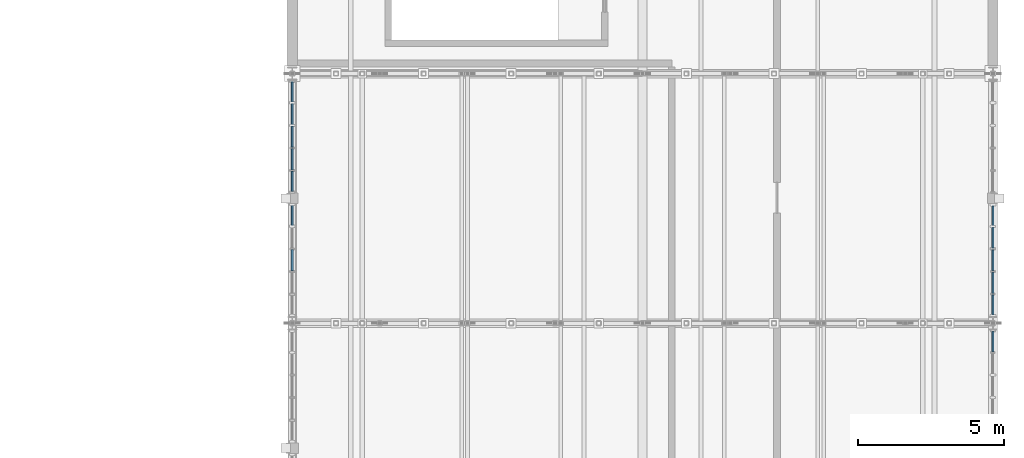
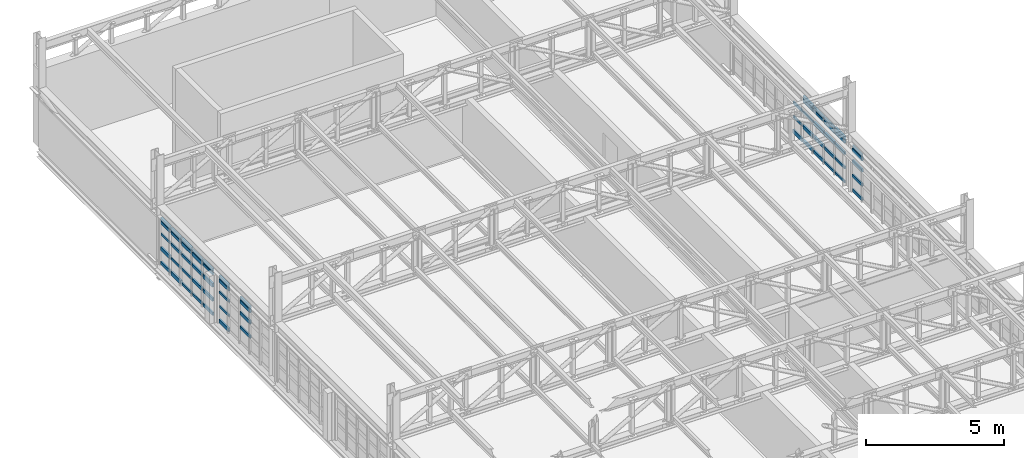
# One storey, part 82 of 128: 62 members, 4 elements without a shape of their own.
"""IFC4 building model written with IfcOpenShell, lengths in metres."""

from ifc_helpers import new_model, si_unit, direction, frame, origin, origin_2d, place, context, subcontext, project, spatial, rectangle, extrude, material, material_profile, profile_set, type_object, element, aggregate, save


model = new_model("IFC4")

# Units and contexts
model_context = context("Model", 3, precision=1e-05, world=origin(), true_north=direction((0.0, 1.0)))
body_context = subcontext(model_context, "Body", "Model", "MODEL_VIEW")
ifc_project = project(units=[si_unit("LENGTHUNIT", "METRE"), si_unit("AREAUNIT", "SQUARE_METRE"), si_unit("VOLUMEUNIT", "CUBIC_METRE"), si_unit("PLANEANGLEUNIT", "RADIAN"), si_unit("MASSUNIT", "GRAM", prefix="KILO")], contexts=[model_context])

# Site, building, storey
site_placement = place(None, origin())
site = spatial("IfcSite", under=ifc_project, at=site_placement, CompositionType="ELEMENT")
building_placement = place(site_placement, origin())
building = spatial("IfcBuilding", under=site, at=building_placement, Name="Serraforn Aerial Cableway Station", CompositionType="ELEMENT")
storey_placement = place(building_placement, frame((0.0, 0.0, 9.0)))
storey = spatial("IfcBuildingStorey", under=building, at=storey_placement, Name="L02", CompositionType="ELEMENT", Elevation=9.0)

# Curtain wall, member
ifc_material_1 = material(Name="Anodised bronze unitised curtain wall")
curtain_wall_type_1 = type_object("IfcCurtainWallType", Name="CW-SYS-10", PredefinedType="USERDEFINED", material=ifc_material_1)
curtain_wall_1_placement = place(storey_placement, origin())
curtain_wall_1 = element("IfcCurtainWall", 1, at=curtain_wall_1_placement, inside=storey, type_object=curtain_wall_type_1, Name="Unitised Curtain Wall CW-EG-L02-E6B", ObjectType="UNITISED CURTAIN WALL", PredefinedType="USERDEFINED")
ifc_material_2 = material(Name="Anodised bronze extruded aluminium", Category="aluminium")
ifc_material_profile_1 = material_profile(ifc_material_2, rectangle(XDim=0.054931640625, YDim=0.110107421875, at=origin_2d()), Name="CW TRANSOM 55x110")
ifc_profile_set_1 = profile_set([ifc_material_profile_1], Name="Anodised bronze extruded aluminium")
member_type_1 = type_object("IfcMemberType", Name="CW-TRN-1", PredefinedType="USERDEFINED", material=ifc_profile_set_1)
member_1_placement = place(storey_placement, frame((168.0, 95.927978515625, 2.03515625), z_axis=(0.0, 1.0, 0.0), x_axis=(-1.0, 0.0, 0.0)))
member_1 = element("IfcMember", 2, at=member_1_placement, type_object=member_type_1, Name="Curtain Wall Transom CW-EG-L02-E6B-T5-5", ObjectType="TRANSOM", PredefinedType="USERDEFINED", context=body_context, shape_type="SweptSolid", body=[
    extrude(rectangle(XDim=0.054931640625, YDim=0.110107421875, at=origin_2d()), origin(), (0.0, 0.0, 1.0), 0.69091796875),
])

# Curtain wall, members
curtain_wall_type_2 = type_object("IfcCurtainWallType", Name="CW-SYS-11", PredefinedType="USERDEFINED", material=ifc_material_1)
curtain_wall_2_placement = place(storey_placement, origin())
curtain_wall_2 = element("IfcCurtainWall", 3, at=curtain_wall_2_placement, inside=storey, type_object=curtain_wall_type_2, Name="Unitised Curtain Wall CW-EG-L02-W7A", ObjectType="UNITISED CURTAIN WALL", PredefinedType="USERDEFINED")
member_2_placement = place(storey_placement, frame((144.0, 105.1640625, 1.356689453125), z_axis=(0.0, -1.0, 0.0), x_axis=(1.0, 0.0, 0.0)))
member_2 = element("IfcMember", 4, at=member_2_placement, type_object=member_type_1, Name="Curtain Wall Transom CW-EG-L02-W7A-T1-3", ObjectType="TRANSOM", PredefinedType="USERDEFINED", context=body_context, shape_type="SweptSolid", body=[
    extrude(rectangle(XDim=0.054931640625, YDim=0.110107421875, at=origin_2d()), origin(), (0.0, 0.0, 1.0), 0.678466796875),
])
member_3_placement = place(storey_placement, frame((144.0, 104.419677734375, 0.720703125), z_axis=(0.0, -1.0, 0.0), x_axis=(1.0, 0.0, 0.0)))
member_3 = element("IfcMember", 5, at=member_3_placement, type_object=member_type_1, Name="Curtain Wall Transom CW-EG-L02-W7A-T2-2", ObjectType="TRANSOM", PredefinedType="USERDEFINED", context=body_context, shape_type="SweptSolid", body=[
    extrude(rectangle(XDim=0.054931640625, YDim=0.110107421875, at=origin_2d()), origin(), (0.0, 0.0, 1.0), 0.7060546875),
])
member_4_placement = place(storey_placement, frame((144.0, 103.642578125, 0.084716796875), z_axis=(0.0, -1.0, 0.0), x_axis=(1.0, 0.0, 0.0)))
member_4 = element("IfcMember", 6, at=member_4_placement, type_object=member_type_1, Name="Curtain Wall Transom CW-EG-L02-W7A-T3-1", ObjectType="TRANSOM", PredefinedType="USERDEFINED", context=body_context, shape_type="SweptSolid", body=[
    extrude(rectangle(XDim=0.054931640625, YDim=0.110107421875, at=origin_2d()), origin(), (0.0, 0.0, 1.0), 0.71337890625),
])
member_5_placement = place(storey_placement, frame((144.0, 102.87841796875, 2.03515625), z_axis=(0.0, -1.0, 0.0), x_axis=(1.0, 0.0, 0.0)))
member_5 = element("IfcMember", 7, at=member_5_placement, type_object=member_type_1, Name="Curtain Wall Transom CW-EG-L02-W7A-T4-5", ObjectType="TRANSOM", PredefinedType="USERDEFINED", context=body_context, shape_type="SweptSolid", body=[
    extrude(rectangle(XDim=0.054931640625, YDim=0.110107421875, at=origin_2d()), origin(), (0.0, 0.0, 1.0), 0.720947265625),
])
member_6_placement = place(storey_placement, frame((144.0, 102.101318359375, 1.865478515625), z_axis=(0.0, -1.0, 0.0), x_axis=(1.0, 0.0, 0.0)))
member_6 = element("IfcMember", 8, at=member_6_placement, type_object=member_type_1, Name="Curtain Wall Transom CW-EG-L02-W7A-T5-4", ObjectType="TRANSOM", PredefinedType="USERDEFINED", context=body_context, shape_type="SweptSolid", body=[
    extrude(rectangle(XDim=0.054931640625, YDim=0.110107421875, at=origin_2d()), origin(), (0.0, 0.0, 1.0), 0.683349609375),
])

curtain_wall_type_3 = type_object("IfcCurtainWallType", Name="CW-SYS-12", PredefinedType="USERDEFINED", material=ifc_material_1)
curtain_wall_3_placement = place(storey_placement, origin())
curtain_wall_3 = element("IfcCurtainWall", 9, at=curtain_wall_3_placement, inside=storey, type_object=curtain_wall_type_3, Name="Unitised Curtain Wall CW-EG-L02-W7B", ObjectType="UNITISED CURTAIN WALL", PredefinedType="USERDEFINED")
member_7_placement = place(storey_placement, frame((144.0, 100.927001953125, 0.720703125), z_axis=(0.0, -1.0, 0.0), x_axis=(1.0, 0.0, 0.0)))
member_7 = element("IfcMember", 10, at=member_7_placement, type_object=member_type_1, Name="Curtain Wall Transom CW-EG-L02-W7B-T1-2", ObjectType="TRANSOM", PredefinedType="USERDEFINED", context=body_context, shape_type="SweptSolid", body=[
    extrude(rectangle(XDim=0.054931640625, YDim=0.110107421875, at=origin_2d()), origin(), (0.0, 0.0, 1.0), 0.6708984375),
])
member_8_placement = place(storey_placement, frame((144.0, 99.420654296875, 2.03515625), z_axis=(0.0, -1.0, 0.0), x_axis=(1.0, 0.0, 0.0)))
member_8 = element("IfcMember", 11, at=member_8_placement, type_object=member_type_1, Name="Curtain Wall Transom CW-EG-L02-W7B-T3-5", ObjectType="TRANSOM", PredefinedType="USERDEFINED", context=body_context, shape_type="SweptSolid", body=[
    extrude(rectangle(XDim=0.054931640625, YDim=0.110107421875, at=origin_2d()), origin(), (0.0, 0.0, 1.0), 0.720947265625),
])

curtain_wall_type_4 = type_object("IfcCurtainWallType", Name="CW-SYS-13", PredefinedType="USERDEFINED", material=ifc_material_1)
curtain_wall_4_placement = place(storey_placement, origin())
curtain_wall_4 = element("IfcCurtainWall", 12, at=curtain_wall_4_placement, inside=storey, type_object=curtain_wall_type_4, Name="Unitised Curtain Wall CW-EG-L02-E7A", ObjectType="UNITISED CURTAIN WALL", PredefinedType="USERDEFINED")
member_9_placement = place(storey_placement, frame((168.0, 97.196044921875, 0.084716796875), z_axis=(0.0, 1.0, 0.0), x_axis=(-1.0, 0.0, 0.0)))
member_9 = element("IfcMember", 13, at=member_9_placement, type_object=member_type_1, Name="Curtain Wall Transom CW-EG-L02-E7A-T1-1", ObjectType="TRANSOM", PredefinedType="USERDEFINED", context=body_context, shape_type="SweptSolid", body=[
    extrude(rectangle(XDim=0.054931640625, YDim=0.110107421875, at=origin_2d()), origin(), (0.0, 0.0, 1.0), 0.67578125),
])
member_10_placement = place(storey_placement, frame((168.0, 97.9228515625, 2.03515625), z_axis=(0.0, 1.0, 0.0), x_axis=(-1.0, 0.0, 0.0)))
member_10 = element("IfcMember", 14, at=member_10_placement, type_object=member_type_1, Name="Curtain Wall Transom CW-EG-L02-E7A-T2-5", ObjectType="TRANSOM", PredefinedType="USERDEFINED", context=body_context, shape_type="SweptSolid", body=[
    extrude(rectangle(XDim=0.054931640625, YDim=0.110107421875, at=origin_2d()), origin(), (0.0, 0.0, 1.0), 0.720947265625),
])
member_11_placement = place(storey_placement, frame((168.0, 98.69970703125, 1.865478515625), z_axis=(0.0, 1.0, 0.0), x_axis=(-1.0, 0.0, 0.0)))
member_11 = element("IfcMember", 15, at=member_11_placement, type_object=member_type_1, Name="Curtain Wall Transom CW-EG-L02-E7A-T3-4", ObjectType="TRANSOM", PredefinedType="USERDEFINED", context=body_context, shape_type="SweptSolid", body=[
    extrude(rectangle(XDim=0.054931640625, YDim=0.110107421875, at=origin_2d()), origin(), (0.0, 0.0, 1.0), 0.716064453125),
])
member_12_placement = place(storey_placement, frame((168.0, 99.476806640625, 1.356689453125), z_axis=(0.0, 1.0, 0.0), x_axis=(-1.0, 0.0, 0.0)))
member_12 = element("IfcMember", 16, at=member_12_placement, type_object=member_type_1, Name="Curtain Wall Transom CW-EG-L02-E7A-T4-3", ObjectType="TRANSOM", PredefinedType="USERDEFINED", context=body_context, shape_type="SweptSolid", body=[
    extrude(rectangle(XDim=0.054931640625, YDim=0.110107421875, at=origin_2d()), origin(), (0.0, 0.0, 1.0), 0.710693359375),
])
member_13_placement = place(storey_placement, frame((168.0, 100.253662109375, 0.720703125), z_axis=(0.0, 1.0, 0.0), x_axis=(-1.0, 0.0, 0.0)))
member_13 = element("IfcMember", 17, at=member_13_placement, type_object=member_type_1, Name="Curtain Wall Transom CW-EG-L02-E7A-T5-2", ObjectType="TRANSOM", PredefinedType="USERDEFINED", context=body_context, shape_type="SweptSolid", body=[
    extrude(rectangle(XDim=0.054931640625, YDim=0.110107421875, at=origin_2d()), origin(), (0.0, 0.0, 1.0), 0.66845703125),
])

# Member
ifc_material_profile_2 = material_profile(ifc_material_2, rectangle(XDim=0.06005859375, YDim=0.1201171875, at=origin_2d()), Name="CW TRANSOM 60x120")
ifc_profile_set_2 = profile_set([ifc_material_profile_2], Name="Anodised bronze extruded aluminium")
member_type_2 = type_object("IfcMemberType", Name="CW-TRN-2", PredefinedType="USERDEFINED", material=ifc_profile_set_2)
member_14_placement = place(storey_placement, frame((168.0, 95.927978515625, 0.084716796875), z_axis=(0.0, 1.0, 0.0), x_axis=(-1.0, 0.0, 0.0)))
member_14 = element("IfcMember", 18, at=member_14_placement, type_object=member_type_2, Name="Curtain Wall Transom CW-EG-L02-E6B-T5-1", ObjectType="TRANSOM", PredefinedType="USERDEFINED", context=body_context, shape_type="SweptSolid", body=[
    extrude(rectangle(XDim=0.06005859375, YDim=0.1201171875, at=origin_2d()), origin(), (0.0, 0.0, 1.0), 0.69091796875),
])

member_15_placement = place(storey_placement, frame((144.0, 105.1640625, 1.865478515625), z_axis=(0.0, -1.0, 0.0), x_axis=(1.0, 0.0, 0.0)))
member_15 = element("IfcMember", 19, at=member_15_placement, type_object=member_type_2, Name="Curtain Wall Transom CW-EG-L02-W7A-T1-4", ObjectType="TRANSOM", PredefinedType="USERDEFINED", context=body_context, shape_type="SweptSolid", body=[
    extrude(rectangle(XDim=0.06005859375, YDim=0.1201171875, at=origin_2d()), origin(), (0.0, 0.0, 1.0), 0.678466796875),
])

member_16_placement = place(storey_placement, frame((144.0, 104.419677734375, 1.356689453125), z_axis=(0.0, -1.0, 0.0), x_axis=(1.0, 0.0, 0.0)))
member_16 = element("IfcMember", 20, at=member_16_placement, type_object=member_type_2, Name="Curtain Wall Transom CW-EG-L02-W7A-T2-3", ObjectType="TRANSOM", PredefinedType="USERDEFINED", context=body_context, shape_type="SweptSolid", body=[
    extrude(rectangle(XDim=0.06005859375, YDim=0.1201171875, at=origin_2d()), origin(), (0.0, 0.0, 1.0), 0.7060546875),
])

member_17_placement = place(storey_placement, frame((144.0, 103.642578125, 0.720703125), z_axis=(0.0, -1.0, 0.0), x_axis=(1.0, 0.0, 0.0)))
member_17 = element("IfcMember", 21, at=member_17_placement, type_object=member_type_2, Name="Curtain Wall Transom CW-EG-L02-W7A-T3-2", ObjectType="TRANSOM", PredefinedType="USERDEFINED", context=body_context, shape_type="SweptSolid", body=[
    extrude(rectangle(XDim=0.06005859375, YDim=0.1201171875, at=origin_2d()), origin(), (0.0, 0.0, 1.0), 0.71337890625),
])

member_18_placement = place(storey_placement, frame((144.0, 102.87841796875, 0.084716796875), z_axis=(0.0, -1.0, 0.0), x_axis=(1.0, 0.0, 0.0)))
member_18 = element("IfcMember", 22, at=member_18_placement, type_object=member_type_2, Name="Curtain Wall Transom CW-EG-L02-W7A-T4-1", ObjectType="TRANSOM", PredefinedType="USERDEFINED", context=body_context, shape_type="SweptSolid", body=[
    extrude(rectangle(XDim=0.06005859375, YDim=0.1201171875, at=origin_2d()), origin(), (0.0, 0.0, 1.0), 0.720947265625),
])

member_19_placement = place(storey_placement, frame((144.0, 102.101318359375, 2.03515625), z_axis=(0.0, -1.0, 0.0), x_axis=(1.0, 0.0, 0.0)))
member_19 = element("IfcMember", 23, at=member_19_placement, type_object=member_type_2, Name="Curtain Wall Transom CW-EG-L02-W7A-T5-5", ObjectType="TRANSOM", PredefinedType="USERDEFINED", context=body_context, shape_type="SweptSolid", body=[
    extrude(rectangle(XDim=0.06005859375, YDim=0.1201171875, at=origin_2d()), origin(), (0.0, 0.0, 1.0), 0.683349609375),
])

member_20_placement = place(storey_placement, frame((144.0, 100.927001953125, 1.356689453125), z_axis=(0.0, -1.0, 0.0), x_axis=(1.0, 0.0, 0.0)))
member_20 = element("IfcMember", 24, at=member_20_placement, type_object=member_type_2, Name="Curtain Wall Transom CW-EG-L02-W7B-T1-3", ObjectType="TRANSOM", PredefinedType="USERDEFINED", context=body_context, shape_type="SweptSolid", body=[
    extrude(rectangle(XDim=0.06005859375, YDim=0.1201171875, at=origin_2d()), origin(), (0.0, 0.0, 1.0), 0.6708984375),
])

member_21_placement = place(storey_placement, frame((168.0, 97.196044921875, 0.720703125), z_axis=(0.0, 1.0, 0.0), x_axis=(-1.0, 0.0, 0.0)))
member_21 = element("IfcMember", 25, at=member_21_placement, type_object=member_type_2, Name="Curtain Wall Transom CW-EG-L02-E7A-T1-2", ObjectType="TRANSOM", PredefinedType="USERDEFINED", context=body_context, shape_type="SweptSolid", body=[
    extrude(rectangle(XDim=0.06005859375, YDim=0.1201171875, at=origin_2d()), origin(), (0.0, 0.0, 1.0), 0.67578125),
])

member_22_placement = place(storey_placement, frame((168.0, 97.9228515625, 0.084716796875), z_axis=(0.0, 1.0, 0.0), x_axis=(-1.0, 0.0, 0.0)))
member_22 = element("IfcMember", 26, at=member_22_placement, type_object=member_type_2, Name="Curtain Wall Transom CW-EG-L02-E7A-T2-1", ObjectType="TRANSOM", PredefinedType="USERDEFINED", context=body_context, shape_type="SweptSolid", body=[
    extrude(rectangle(XDim=0.06005859375, YDim=0.1201171875, at=origin_2d()), origin(), (0.0, 0.0, 1.0), 0.720947265625),
])

member_23_placement = place(storey_placement, frame((168.0, 98.69970703125, 2.03515625), z_axis=(0.0, 1.0, 0.0), x_axis=(-1.0, 0.0, 0.0)))
member_23 = element("IfcMember", 27, at=member_23_placement, type_object=member_type_2, Name="Curtain Wall Transom CW-EG-L02-E7A-T3-5", ObjectType="TRANSOM", PredefinedType="USERDEFINED", context=body_context, shape_type="SweptSolid", body=[
    extrude(rectangle(XDim=0.06005859375, YDim=0.1201171875, at=origin_2d()), origin(), (0.0, 0.0, 1.0), 0.716064453125),
])

member_24_placement = place(storey_placement, frame((168.0, 99.476806640625, 1.865478515625), z_axis=(0.0, 1.0, 0.0), x_axis=(-1.0, 0.0, 0.0)))
member_24 = element("IfcMember", 28, at=member_24_placement, type_object=member_type_2, Name="Curtain Wall Transom CW-EG-L02-E7A-T4-4", ObjectType="TRANSOM", PredefinedType="USERDEFINED", context=body_context, shape_type="SweptSolid", body=[
    extrude(rectangle(XDim=0.06005859375, YDim=0.1201171875, at=origin_2d()), origin(), (0.0, 0.0, 1.0), 0.710693359375),
])

member_25_placement = place(storey_placement, frame((168.0, 100.253662109375, 1.356689453125), z_axis=(0.0, 1.0, 0.0), x_axis=(-1.0, 0.0, 0.0)))
member_25 = element("IfcMember", 29, at=member_25_placement, type_object=member_type_2, Name="Curtain Wall Transom CW-EG-L02-E7A-T5-3", ObjectType="TRANSOM", PredefinedType="USERDEFINED", context=body_context, shape_type="SweptSolid", body=[
    extrude(rectangle(XDim=0.06005859375, YDim=0.1201171875, at=origin_2d()), origin(), (0.0, 0.0, 1.0), 0.66845703125),
])

ifc_material_profile_3 = material_profile(ifc_material_2, rectangle(XDim=0.06494140625, YDim=0.135009765625, at=origin_2d()), Name="CW TRANSOM 65x135")
ifc_profile_set_3 = profile_set([ifc_material_profile_3], Name="Anodised bronze extruded aluminium")
member_type_3 = type_object("IfcMemberType", Name="CW-TRN-3", PredefinedType="USERDEFINED", material=ifc_profile_set_3)
member_26_placement = place(storey_placement, frame((168.0, 95.927978515625, 0.720703125), z_axis=(0.0, 1.0, 0.0), x_axis=(-1.0, 0.0, 0.0)))
member_26 = element("IfcMember", 30, at=member_26_placement, type_object=member_type_3, Name="Curtain Wall Transom CW-EG-L02-E6B-T5-2", ObjectType="TRANSOM", PredefinedType="USERDEFINED", context=body_context, shape_type="SweptSolid", body=[
    extrude(rectangle(XDim=0.06494140625, YDim=0.135009765625, at=origin_2d()), origin(), (0.0, 0.0, 1.0), 0.69091796875),
])

member_27_placement = place(storey_placement, frame((144.0, 105.1640625, 2.03515625), z_axis=(0.0, -1.0, 0.0), x_axis=(1.0, 0.0, 0.0)))
member_27 = element("IfcMember", 31, at=member_27_placement, type_object=member_type_3, Name="Curtain Wall Transom CW-EG-L02-W7A-T1-5", ObjectType="TRANSOM", PredefinedType="USERDEFINED", context=body_context, shape_type="SweptSolid", body=[
    extrude(rectangle(XDim=0.06494140625, YDim=0.135009765625, at=origin_2d()), origin(), (0.0, 0.0, 1.0), 0.678466796875),
])

member_28_placement = place(storey_placement, frame((144.0, 104.419677734375, 1.865478515625), z_axis=(0.0, -1.0, 0.0), x_axis=(1.0, 0.0, 0.0)))
member_28 = element("IfcMember", 32, at=member_28_placement, type_object=member_type_3, Name="Curtain Wall Transom CW-EG-L02-W7A-T2-4", ObjectType="TRANSOM", PredefinedType="USERDEFINED", context=body_context, shape_type="SweptSolid", body=[
    extrude(rectangle(XDim=0.06494140625, YDim=0.135009765625, at=origin_2d()), origin(), (0.0, 0.0, 1.0), 0.7060546875),
])

member_29_placement = place(storey_placement, frame((144.0, 103.642578125, 1.356689453125), z_axis=(0.0, -1.0, 0.0), x_axis=(1.0, 0.0, 0.0)))
member_29 = element("IfcMember", 33, at=member_29_placement, type_object=member_type_3, Name="Curtain Wall Transom CW-EG-L02-W7A-T3-3", ObjectType="TRANSOM", PredefinedType="USERDEFINED", context=body_context, shape_type="SweptSolid", body=[
    extrude(rectangle(XDim=0.06494140625, YDim=0.135009765625, at=origin_2d()), origin(), (0.0, 0.0, 1.0), 0.71337890625),
])

member_30_placement = place(storey_placement, frame((144.0, 102.87841796875, 0.720703125), z_axis=(0.0, -1.0, 0.0), x_axis=(1.0, 0.0, 0.0)))
member_30 = element("IfcMember", 34, at=member_30_placement, type_object=member_type_3, Name="Curtain Wall Transom CW-EG-L02-W7A-T4-2", ObjectType="TRANSOM", PredefinedType="USERDEFINED", context=body_context, shape_type="SweptSolid", body=[
    extrude(rectangle(XDim=0.06494140625, YDim=0.135009765625, at=origin_2d()), origin(), (0.0, 0.0, 1.0), 0.720947265625),
])

member_31_placement = place(storey_placement, frame((144.0, 102.101318359375, 0.084716796875), z_axis=(0.0, -1.0, 0.0), x_axis=(1.0, 0.0, 0.0)))
member_31 = element("IfcMember", 35, at=member_31_placement, type_object=member_type_3, Name="Curtain Wall Transom CW-EG-L02-W7A-T5-1", ObjectType="TRANSOM", PredefinedType="USERDEFINED", context=body_context, shape_type="SweptSolid", body=[
    extrude(rectangle(XDim=0.06494140625, YDim=0.135009765625, at=origin_2d()), origin(), (0.0, 0.0, 1.0), 0.683349609375),
])

member_32_placement = place(storey_placement, frame((144.0, 100.927001953125, 1.865478515625), z_axis=(0.0, -1.0, 0.0), x_axis=(1.0, 0.0, 0.0)))
member_32 = element("IfcMember", 36, at=member_32_placement, type_object=member_type_3, Name="Curtain Wall Transom CW-EG-L02-W7B-T1-4", ObjectType="TRANSOM", PredefinedType="USERDEFINED", context=body_context, shape_type="SweptSolid", body=[
    extrude(rectangle(XDim=0.06494140625, YDim=0.135009765625, at=origin_2d()), origin(), (0.0, 0.0, 1.0), 0.6708984375),
])

member_33_placement = place(storey_placement, frame((144.0, 99.420654296875, 0.720703125), z_axis=(0.0, -1.0, 0.0), x_axis=(1.0, 0.0, 0.0)))
member_33 = element("IfcMember", 37, at=member_33_placement, type_object=member_type_3, Name="Curtain Wall Transom CW-EG-L02-W7B-T3-2", ObjectType="TRANSOM", PredefinedType="USERDEFINED", context=body_context, shape_type="SweptSolid", body=[
    extrude(rectangle(XDim=0.06494140625, YDim=0.135009765625, at=origin_2d()), origin(), (0.0, 0.0, 1.0), 0.720947265625),
])

member_34_placement = place(storey_placement, frame((168.0, 97.196044921875, 1.356689453125), z_axis=(0.0, 1.0, 0.0), x_axis=(-1.0, 0.0, 0.0)))
member_34 = element("IfcMember", 38, at=member_34_placement, type_object=member_type_3, Name="Curtain Wall Transom CW-EG-L02-E7A-T1-3", ObjectType="TRANSOM", PredefinedType="USERDEFINED", context=body_context, shape_type="SweptSolid", body=[
    extrude(rectangle(XDim=0.06494140625, YDim=0.135009765625, at=origin_2d()), origin(), (0.0, 0.0, 1.0), 0.67578125),
])

member_35_placement = place(storey_placement, frame((168.0, 97.9228515625, 0.720703125), z_axis=(0.0, 1.0, 0.0), x_axis=(-1.0, 0.0, 0.0)))
member_35 = element("IfcMember", 39, at=member_35_placement, type_object=member_type_3, Name="Curtain Wall Transom CW-EG-L02-E7A-T2-2", ObjectType="TRANSOM", PredefinedType="USERDEFINED", context=body_context, shape_type="SweptSolid", body=[
    extrude(rectangle(XDim=0.06494140625, YDim=0.135009765625, at=origin_2d()), origin(), (0.0, 0.0, 1.0), 0.720947265625),
])

member_36_placement = place(storey_placement, frame((168.0, 98.69970703125, 0.084716796875), z_axis=(0.0, 1.0, 0.0), x_axis=(-1.0, 0.0, 0.0)))
member_36 = element("IfcMember", 40, at=member_36_placement, type_object=member_type_3, Name="Curtain Wall Transom CW-EG-L02-E7A-T3-1", ObjectType="TRANSOM", PredefinedType="USERDEFINED", context=body_context, shape_type="SweptSolid", body=[
    extrude(rectangle(XDim=0.06494140625, YDim=0.135009765625, at=origin_2d()), origin(), (0.0, 0.0, 1.0), 0.716064453125),
])

member_37_placement = place(storey_placement, frame((168.0, 99.476806640625, 2.03515625), z_axis=(0.0, 1.0, 0.0), x_axis=(-1.0, 0.0, 0.0)))
member_37 = element("IfcMember", 41, at=member_37_placement, type_object=member_type_3, Name="Curtain Wall Transom CW-EG-L02-E7A-T4-5", ObjectType="TRANSOM", PredefinedType="USERDEFINED", context=body_context, shape_type="SweptSolid", body=[
    extrude(rectangle(XDim=0.06494140625, YDim=0.135009765625, at=origin_2d()), origin(), (0.0, 0.0, 1.0), 0.710693359375),
])

ifc_material_profile_4 = material_profile(ifc_material_2, rectangle(XDim=0.070068359375, YDim=0.14990234375, at=origin_2d()), Name="CW TRANSOM 70x150")
ifc_profile_set_4 = profile_set([ifc_material_profile_4], Name="Anodised bronze extruded aluminium")
member_type_4 = type_object("IfcMemberType", Name="CW-TRN-4", PredefinedType="USERDEFINED", material=ifc_profile_set_4)
member_38_placement = place(storey_placement, frame((168.0, 95.927978515625, 1.356689453125), z_axis=(0.0, 1.0, 0.0), x_axis=(-1.0, 0.0, 0.0)))
member_38 = element("IfcMember", 42, at=member_38_placement, type_object=member_type_4, Name="Curtain Wall Transom CW-EG-L02-E6B-T5-3", ObjectType="TRANSOM", PredefinedType="USERDEFINED", context=body_context, shape_type="SweptSolid", body=[
    extrude(rectangle(XDim=0.070068359375, YDim=0.14990234375, at=origin_2d()), origin(), (0.0, 0.0, 1.0), 0.69091796875),
])

member_39_placement = place(storey_placement, frame((144.0, 105.1640625, 0.084716796875), z_axis=(0.0, -1.0, 0.0), x_axis=(1.0, 0.0, 0.0)))
member_39 = element("IfcMember", 43, at=member_39_placement, type_object=member_type_4, Name="Curtain Wall Transom CW-EG-L02-W7A-T1-1", ObjectType="TRANSOM", PredefinedType="USERDEFINED", context=body_context, shape_type="SweptSolid", body=[
    extrude(rectangle(XDim=0.070068359375, YDim=0.14990234375, at=origin_2d()), origin(), (0.0, 0.0, 1.0), 0.678466796875),
])

member_40_placement = place(storey_placement, frame((144.0, 104.419677734375, 2.03515625), z_axis=(0.0, -1.0, 0.0), x_axis=(1.0, 0.0, 0.0)))
member_40 = element("IfcMember", 44, at=member_40_placement, type_object=member_type_4, Name="Curtain Wall Transom CW-EG-L02-W7A-T2-5", ObjectType="TRANSOM", PredefinedType="USERDEFINED", context=body_context, shape_type="SweptSolid", body=[
    extrude(rectangle(XDim=0.070068359375, YDim=0.14990234375, at=origin_2d()), origin(), (0.0, 0.0, 1.0), 0.7060546875),
])

member_41_placement = place(storey_placement, frame((144.0, 103.642578125, 1.865478515625), z_axis=(0.0, -1.0, 0.0), x_axis=(1.0, 0.0, 0.0)))
member_41 = element("IfcMember", 45, at=member_41_placement, type_object=member_type_4, Name="Curtain Wall Transom CW-EG-L02-W7A-T3-4", ObjectType="TRANSOM", PredefinedType="USERDEFINED", context=body_context, shape_type="SweptSolid", body=[
    extrude(rectangle(XDim=0.070068359375, YDim=0.14990234375, at=origin_2d()), origin(), (0.0, 0.0, 1.0), 0.71337890625),
])

member_42_placement = place(storey_placement, frame((144.0, 102.87841796875, 1.356689453125), z_axis=(0.0, -1.0, 0.0), x_axis=(1.0, 0.0, 0.0)))
member_42 = element("IfcMember", 46, at=member_42_placement, type_object=member_type_4, Name="Curtain Wall Transom CW-EG-L02-W7A-T4-3", ObjectType="TRANSOM", PredefinedType="USERDEFINED", context=body_context, shape_type="SweptSolid", body=[
    extrude(rectangle(XDim=0.070068359375, YDim=0.14990234375, at=origin_2d()), origin(), (0.0, 0.0, 1.0), 0.720947265625),
])

member_43_placement = place(storey_placement, frame((144.0, 102.101318359375, 0.720703125), z_axis=(0.0, -1.0, 0.0), x_axis=(1.0, 0.0, 0.0)))
member_43 = element("IfcMember", 47, at=member_43_placement, type_object=member_type_4, Name="Curtain Wall Transom CW-EG-L02-W7A-T5-2", ObjectType="TRANSOM", PredefinedType="USERDEFINED", context=body_context, shape_type="SweptSolid", body=[
    extrude(rectangle(XDim=0.070068359375, YDim=0.14990234375, at=origin_2d()), origin(), (0.0, 0.0, 1.0), 0.683349609375),
])

member_44_placement = place(storey_placement, frame((144.0, 100.927001953125, 2.03515625), z_axis=(0.0, -1.0, 0.0), x_axis=(1.0, 0.0, 0.0)))
member_44 = element("IfcMember", 48, at=member_44_placement, type_object=member_type_4, Name="Curtain Wall Transom CW-EG-L02-W7B-T1-5", ObjectType="TRANSOM", PredefinedType="USERDEFINED", context=body_context, shape_type="SweptSolid", body=[
    extrude(rectangle(XDim=0.070068359375, YDim=0.14990234375, at=origin_2d()), origin(), (0.0, 0.0, 1.0), 0.6708984375),
])

member_45_placement = place(storey_placement, frame((144.0, 99.420654296875, 1.356689453125), z_axis=(0.0, -1.0, 0.0), x_axis=(1.0, 0.0, 0.0)))
member_45 = element("IfcMember", 49, at=member_45_placement, type_object=member_type_4, Name="Curtain Wall Transom CW-EG-L02-W7B-T3-3", ObjectType="TRANSOM", PredefinedType="USERDEFINED", context=body_context, shape_type="SweptSolid", body=[
    extrude(rectangle(XDim=0.070068359375, YDim=0.14990234375, at=origin_2d()), origin(), (0.0, 0.0, 1.0), 0.720947265625),
])

member_46_placement = place(storey_placement, frame((168.0, 97.196044921875, 1.865478515625), z_axis=(0.0, 1.0, 0.0), x_axis=(-1.0, 0.0, 0.0)))
member_46 = element("IfcMember", 50, at=member_46_placement, type_object=member_type_4, Name="Curtain Wall Transom CW-EG-L02-E7A-T1-4", ObjectType="TRANSOM", PredefinedType="USERDEFINED", context=body_context, shape_type="SweptSolid", body=[
    extrude(rectangle(XDim=0.070068359375, YDim=0.14990234375, at=origin_2d()), origin(), (0.0, 0.0, 1.0), 0.67578125),
])

member_47_placement = place(storey_placement, frame((168.0, 97.9228515625, 1.356689453125), z_axis=(0.0, 1.0, 0.0), x_axis=(-1.0, 0.0, 0.0)))
member_47 = element("IfcMember", 51, at=member_47_placement, type_object=member_type_4, Name="Curtain Wall Transom CW-EG-L02-E7A-T2-3", ObjectType="TRANSOM", PredefinedType="USERDEFINED", context=body_context, shape_type="SweptSolid", body=[
    extrude(rectangle(XDim=0.070068359375, YDim=0.14990234375, at=origin_2d()), origin(), (0.0, 0.0, 1.0), 0.720947265625),
])

member_48_placement = place(storey_placement, frame((168.0, 98.69970703125, 0.720703125), z_axis=(0.0, 1.0, 0.0), x_axis=(-1.0, 0.0, 0.0)))
member_48 = element("IfcMember", 52, at=member_48_placement, type_object=member_type_4, Name="Curtain Wall Transom CW-EG-L02-E7A-T3-2", ObjectType="TRANSOM", PredefinedType="USERDEFINED", context=body_context, shape_type="SweptSolid", body=[
    extrude(rectangle(XDim=0.070068359375, YDim=0.14990234375, at=origin_2d()), origin(), (0.0, 0.0, 1.0), 0.716064453125),
])

member_49_placement = place(storey_placement, frame((168.0, 99.476806640625, 0.084716796875), z_axis=(0.0, 1.0, 0.0), x_axis=(-1.0, 0.0, 0.0)))
member_49 = element("IfcMember", 53, at=member_49_placement, type_object=member_type_4, Name="Curtain Wall Transom CW-EG-L02-E7A-T4-1", ObjectType="TRANSOM", PredefinedType="USERDEFINED", context=body_context, shape_type="SweptSolid", body=[
    extrude(rectangle(XDim=0.070068359375, YDim=0.14990234375, at=origin_2d()), origin(), (0.0, 0.0, 1.0), 0.710693359375),
])

ifc_material_profile_5 = material_profile(ifc_material_2, rectangle(XDim=0.074951171875, YDim=0.1650390625, at=origin_2d()), Name="CW TRANSOM 75x165")
ifc_profile_set_5 = profile_set([ifc_material_profile_5], Name="Anodised bronze extruded aluminium")
member_type_5 = type_object("IfcMemberType", Name="CW-TRN-5", PredefinedType="USERDEFINED", material=ifc_profile_set_5)
member_50_placement = place(storey_placement, frame((168.0, 95.927978515625, 1.865478515625), z_axis=(0.0, 1.0, 0.0), x_axis=(-1.0, 0.0, 0.0)))
member_50 = element("IfcMember", 54, at=member_50_placement, type_object=member_type_5, Name="Curtain Wall Transom CW-EG-L02-E6B-T5-4", ObjectType="TRANSOM", PredefinedType="USERDEFINED", context=body_context, shape_type="SweptSolid", body=[
    extrude(rectangle(XDim=0.074951171875, YDim=0.1650390625, at=origin_2d()), origin(), (0.0, 0.0, 1.0), 0.69091796875),
])

aggregate(curtain_wall_1, [member_14, member_26, member_38, member_50, member_1])

member_51_placement = place(storey_placement, frame((144.0, 105.1640625, 0.720703125), z_axis=(0.0, -1.0, 0.0), x_axis=(1.0, 0.0, 0.0)))
member_51 = element("IfcMember", 55, at=member_51_placement, type_object=member_type_5, Name="Curtain Wall Transom CW-EG-L02-W7A-T1-2", ObjectType="TRANSOM", PredefinedType="USERDEFINED", context=body_context, shape_type="SweptSolid", body=[
    extrude(rectangle(XDim=0.074951171875, YDim=0.1650390625, at=origin_2d()), origin(), (0.0, 0.0, 1.0), 0.678466796875),
])

member_52_placement = place(storey_placement, frame((144.0, 104.419677734375, 0.084716796875), z_axis=(0.0, -1.0, 0.0), x_axis=(1.0, 0.0, 0.0)))
member_52 = element("IfcMember", 56, at=member_52_placement, type_object=member_type_5, Name="Curtain Wall Transom CW-EG-L02-W7A-T2-1", ObjectType="TRANSOM", PredefinedType="USERDEFINED", context=body_context, shape_type="SweptSolid", body=[
    extrude(rectangle(XDim=0.074951171875, YDim=0.1650390625, at=origin_2d()), origin(), (0.0, 0.0, 1.0), 0.7060546875),
])

member_53_placement = place(storey_placement, frame((144.0, 103.642578125, 2.03515625), z_axis=(0.0, -1.0, 0.0), x_axis=(1.0, 0.0, 0.0)))
member_53 = element("IfcMember", 57, at=member_53_placement, type_object=member_type_5, Name="Curtain Wall Transom CW-EG-L02-W7A-T3-5", ObjectType="TRANSOM", PredefinedType="USERDEFINED", context=body_context, shape_type="SweptSolid", body=[
    extrude(rectangle(XDim=0.074951171875, YDim=0.1650390625, at=origin_2d()), origin(), (0.0, 0.0, 1.0), 0.71337890625),
])

member_54_placement = place(storey_placement, frame((144.0, 102.87841796875, 1.865478515625), z_axis=(0.0, -1.0, 0.0), x_axis=(1.0, 0.0, 0.0)))
member_54 = element("IfcMember", 58, at=member_54_placement, type_object=member_type_5, Name="Curtain Wall Transom CW-EG-L02-W7A-T4-4", ObjectType="TRANSOM", PredefinedType="USERDEFINED", context=body_context, shape_type="SweptSolid", body=[
    extrude(rectangle(XDim=0.074951171875, YDim=0.1650390625, at=origin_2d()), origin(), (0.0, 0.0, 1.0), 0.720947265625),
])

member_55_placement = place(storey_placement, frame((144.0, 102.101318359375, 1.356689453125), z_axis=(0.0, -1.0, 0.0), x_axis=(1.0, 0.0, 0.0)))
member_55 = element("IfcMember", 59, at=member_55_placement, type_object=member_type_5, Name="Curtain Wall Transom CW-EG-L02-W7A-T5-3", ObjectType="TRANSOM", PredefinedType="USERDEFINED", context=body_context, shape_type="SweptSolid", body=[
    extrude(rectangle(XDim=0.074951171875, YDim=0.1650390625, at=origin_2d()), origin(), (0.0, 0.0, 1.0), 0.683349609375),
])

aggregate(curtain_wall_2, [member_39, member_51, member_2, member_15, member_27, member_52, member_3, member_16, member_28, member_40, member_4, member_17, member_29, member_41, member_53, member_18, member_30, member_42, member_54, member_5, member_31, member_43, member_55, member_6, member_19])

member_56_placement = place(storey_placement, frame((144.0, 100.927001953125, 0.084716796875), z_axis=(0.0, -1.0, 0.0), x_axis=(1.0, 0.0, 0.0)))
member_56 = element("IfcMember", 60, at=member_56_placement, type_object=member_type_5, Name="Curtain Wall Transom CW-EG-L02-W7B-T1-1", ObjectType="TRANSOM", PredefinedType="USERDEFINED", context=body_context, shape_type="SweptSolid", body=[
    extrude(rectangle(XDim=0.074951171875, YDim=0.1650390625, at=origin_2d()), origin(), (0.0, 0.0, 1.0), 0.6708984375),
])

member_57_placement = place(storey_placement, frame((144.0, 99.420654296875, 1.865478515625), z_axis=(0.0, -1.0, 0.0), x_axis=(1.0, 0.0, 0.0)))
member_57 = element("IfcMember", 61, at=member_57_placement, type_object=member_type_5, Name="Curtain Wall Transom CW-EG-L02-W7B-T3-4", ObjectType="TRANSOM", PredefinedType="USERDEFINED", context=body_context, shape_type="SweptSolid", body=[
    extrude(rectangle(XDim=0.074951171875, YDim=0.1650390625, at=origin_2d()), origin(), (0.0, 0.0, 1.0), 0.720947265625),
])

aggregate(curtain_wall_3, [member_56, member_7, member_20, member_32, member_44, member_33, member_45, member_57, member_8])

member_58_placement = place(storey_placement, frame((168.0, 97.196044921875, 2.03515625), z_axis=(0.0, 1.0, 0.0), x_axis=(-1.0, 0.0, 0.0)))
member_58 = element("IfcMember", 62, at=member_58_placement, type_object=member_type_5, Name="Curtain Wall Transom CW-EG-L02-E7A-T1-5", ObjectType="TRANSOM", PredefinedType="USERDEFINED", context=body_context, shape_type="SweptSolid", body=[
    extrude(rectangle(XDim=0.074951171875, YDim=0.1650390625, at=origin_2d()), origin(), (0.0, 0.0, 1.0), 0.67578125),
])

member_59_placement = place(storey_placement, frame((168.0, 97.9228515625, 1.865478515625), z_axis=(0.0, 1.0, 0.0), x_axis=(-1.0, 0.0, 0.0)))
member_59 = element("IfcMember", 63, at=member_59_placement, type_object=member_type_5, Name="Curtain Wall Transom CW-EG-L02-E7A-T2-4", ObjectType="TRANSOM", PredefinedType="USERDEFINED", context=body_context, shape_type="SweptSolid", body=[
    extrude(rectangle(XDim=0.074951171875, YDim=0.1650390625, at=origin_2d()), origin(), (0.0, 0.0, 1.0), 0.720947265625),
])

member_60_placement = place(storey_placement, frame((168.0, 98.69970703125, 1.356689453125), z_axis=(0.0, 1.0, 0.0), x_axis=(-1.0, 0.0, 0.0)))
member_60 = element("IfcMember", 64, at=member_60_placement, type_object=member_type_5, Name="Curtain Wall Transom CW-EG-L02-E7A-T3-3", ObjectType="TRANSOM", PredefinedType="USERDEFINED", context=body_context, shape_type="SweptSolid", body=[
    extrude(rectangle(XDim=0.074951171875, YDim=0.1650390625, at=origin_2d()), origin(), (0.0, 0.0, 1.0), 0.716064453125),
])

member_61_placement = place(storey_placement, frame((168.0, 99.476806640625, 0.720703125), z_axis=(0.0, 1.0, 0.0), x_axis=(-1.0, 0.0, 0.0)))
member_61 = element("IfcMember", 65, at=member_61_placement, type_object=member_type_5, Name="Curtain Wall Transom CW-EG-L02-E7A-T4-2", ObjectType="TRANSOM", PredefinedType="USERDEFINED", context=body_context, shape_type="SweptSolid", body=[
    extrude(rectangle(XDim=0.074951171875, YDim=0.1650390625, at=origin_2d()), origin(), (0.0, 0.0, 1.0), 0.710693359375),
])

member_62_placement = place(storey_placement, frame((168.0, 100.253662109375, 0.084716796875), z_axis=(0.0, 1.0, 0.0), x_axis=(-1.0, 0.0, 0.0)))
member_62 = element("IfcMember", 66, at=member_62_placement, type_object=member_type_5, Name="Curtain Wall Transom CW-EG-L02-E7A-T5-1", ObjectType="TRANSOM", PredefinedType="USERDEFINED", context=body_context, shape_type="SweptSolid", body=[
    extrude(rectangle(XDim=0.074951171875, YDim=0.1650390625, at=origin_2d()), origin(), (0.0, 0.0, 1.0), 0.66845703125),
])

aggregate(curtain_wall_4, [member_9, member_21, member_34, member_46, member_58, member_22, member_35, member_47, member_59, member_10, member_36, member_48, member_60, member_11, member_23, member_49, member_61, member_12, member_24, member_37, member_62, member_13, member_25])

save(model, "model.ifc")
